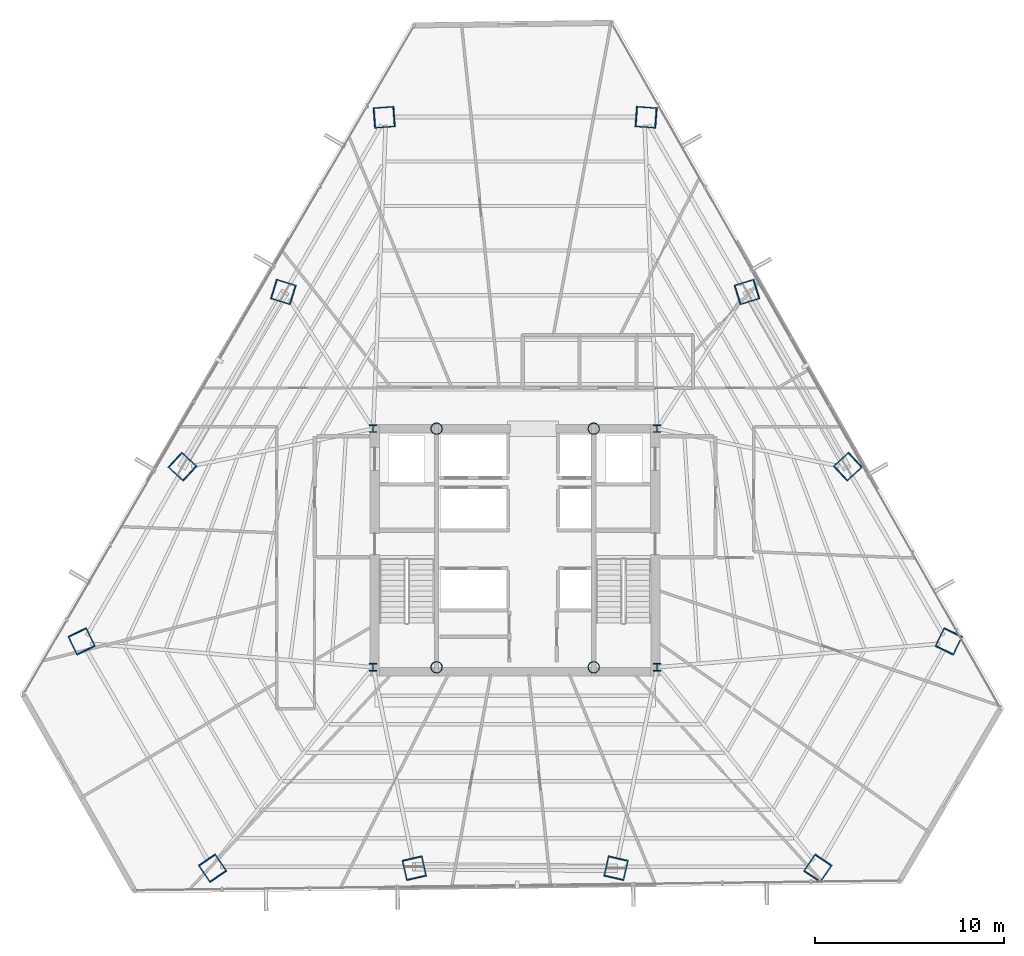
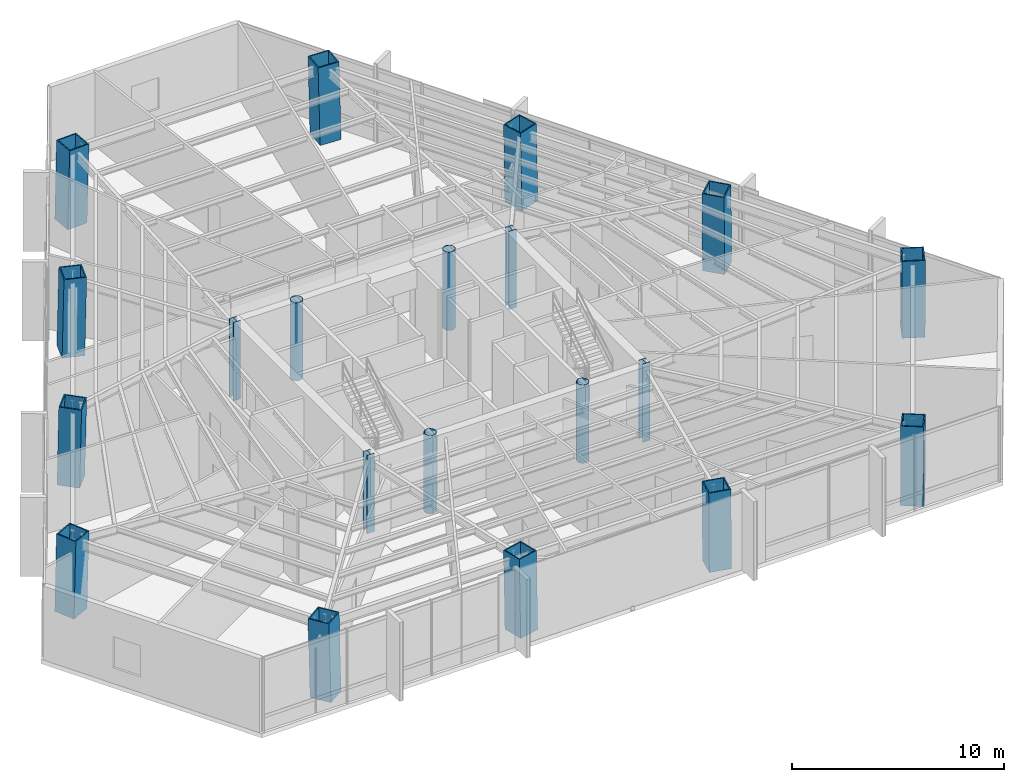
# One storey, part 1 of 37: 20 columns.
"""IFC4 building model written with IfcOpenShell, lengths in metres."""

import ifcopenshell
import ifcopenshell.guid

model = None  # the IFC model being written
_history = None  # IfcOwnerHistory: only IFC2X3 demands one
_inside = {}  # id of a spatial element -> (the spatial element, [elements in it])
_under = {}  # id of a project, library or spatial element -> (it, [spatial elements below it])
_declared = {}  # id of a project -> (the project, [libraries it declares])
_typed = {}  # id of a type object -> (the type object, [elements of that type])
_made_of = {}  # id of a material, layer set ... -> (it, [elements and type objects made of it])


def new_model(schema):
    """Start an empty IFC model of exactly this schema.

    Asked for "IFC4X3", IfcOpenShell would pick the latest addendum, in which some entities
    have other attributes; the version numbers below select the first issue.
    IFC2X3 requires an IfcOwnerHistory on every rooted entity: one is made here for all.
    """
    global model, _history
    if schema == "IFC4X3":
        model = ifcopenshell.file(schema_version=(4, 3, 0, 0))
    else:
        model = ifcopenshell.file(schema=schema)
    _inside.clear()
    _under.clear()
    _declared.clear()
    _typed.clear()
    _made_of.clear()
    _history = None
    if model.schema == "IFC2X3":
        org = make("IfcOrganization", Name="unknown")
        user = make(
            "IfcPersonAndOrganization",
            ThePerson=make("IfcPerson", FamilyName="unknown"),
            TheOrganization=org,
        )
        app = make(
            "IfcApplication",
            ApplicationDeveloper=org,
            Version="unknown",
            ApplicationFullName="unknown",
            ApplicationIdentifier="unknown",
        )
        _history = make(
            "IfcOwnerHistory",
            OwningUser=user,
            OwningApplication=app,
            ChangeAction="ADDED",
            CreationDate=0,
        )
    return model


def make(cls, **values):
    """One entity of the class cls with the attributes given. An attribute that is None is left unset."""
    return model.create_entity(
        cls, **{name: value for name, value in values.items() if value is not None}
    )


def rooted(cls, **values):
    """An entity with a GlobalId (a new one), such as an element, a storey or a relation."""
    return make(cls, GlobalId=ifcopenshell.guid.new(), OwnerHistory=_history, **values)


def si_unit(unit_type, name, prefix=None):
    """IfcSIUnit, for example si_unit("LENGTHUNIT", "METRE", prefix="MILLI")."""
    return make("IfcSIUnit", UnitType=unit_type, Prefix=prefix, Name=name)


def assignment(units):
    """IfcUnitAssignment: the units of a project."""
    return None if units is None else make("IfcUnitAssignment", Units=units)


def point(xyz):
    """IfcCartesianPoint."""
    return None if xyz is None else make("IfcCartesianPoint", Coordinates=xyz)


def direction(xyz):
    """IfcDirection."""
    return None if xyz is None else make("IfcDirection", DirectionRatios=xyz)


def frame(location, z_axis=None, x_axis=None):
    """IfcAxis2Placement3D, a coordinate frame: its origin and axes. An axis left out is left unset."""
    return make(
        "IfcAxis2Placement3D",
        Location=point(location),
        Axis=direction(z_axis),
        RefDirection=direction(x_axis),
    )


def frame_2d(location, x_axis=None):
    """IfcAxis2Placement2D, a coordinate frame in the plane: its origin and x axis."""
    return make(
        "IfcAxis2Placement2D", Location=point(location), RefDirection=direction(x_axis)
    )


def origin():
    """The frame at (0, 0, 0) with its axes left unset."""
    return frame((0.0, 0.0, 0.0))


def origin_2d():
    """The frame at (0, 0) in the plane with its x axis left unset."""
    return frame_2d((0.0, 0.0))


def place(relative_to, where):
    """IfcLocalPlacement: puts the frame where relative to a parent placement (None: the world)."""
    return make(
        "IfcLocalPlacement", PlacementRelTo=relative_to, RelativePlacement=where
    )


def context(
    kind, dimensions, precision=None, world=None, true_north=None, identifier=None
):
    """IfcGeometricRepresentationContext, for example the 3D "Model" context."""
    return make(
        "IfcGeometricRepresentationContext",
        ContextIdentifier=identifier,
        ContextType=kind,
        CoordinateSpaceDimension=dimensions,
        Precision=precision,
        WorldCoordinateSystem=world,
        TrueNorth=true_north,
    )


def subcontext(parent, identifier, kind, view, scale=None):
    """IfcGeometricRepresentationSubContext, for example "Body" below "Model"."""
    return make(
        "IfcGeometricRepresentationSubContext",
        ContextIdentifier=identifier,
        ContextType=kind,
        ParentContext=parent,
        TargetScale=scale,
        TargetView=view,
    )


def project(units=None, contexts=None):
    """IfcProject with its units and contexts."""
    return rooted(
        "IfcProject",
        Name="project",
        RepresentationContexts=contexts,
        UnitsInContext=assignment(units),
    )


def spatial(cls, under=None, at=None, **own):
    """A site, building, storey or space (cls), placed at a placement, below another one or the project."""
    s = rooted(cls, ObjectPlacement=at, **own)
    if under is not None:
        _under.setdefault(under.id(), (under, []))[1].append(s)
    return s


def profile(cls, at=None, kind="AREA", **sizes):
    """A parametric profile (cls). Its sizes go by their IFC names, for example OverallWidth=200.0."""
    return make(cls, ProfileType=kind, Position=at, **sizes)


def hollow_rectangle(**sizes):
    """IfcRectangleHollowProfileDef."""
    return profile("IfcRectangleHollowProfileDef", **sizes)


def hollow_circle(**sizes):
    """IfcCircleHollowProfileDef."""
    return profile("IfcCircleHollowProfileDef", **sizes)


def i_section(**sizes):
    """IfcIShapeProfileDef."""
    return profile("IfcIShapeProfileDef", **sizes)


def extrude(swept, where, along, depth):
    """IfcExtrudedAreaSolid: the profile swept, set in the frame where, extruded along a direction by depth."""
    return make(
        "IfcExtrudedAreaSolid",
        SweptArea=swept,
        Position=where,
        ExtrudedDirection=direction(along),
        Depth=depth,
    )


def shape(context_of_items, identifier, shape_type, items):
    """IfcShapeRepresentation: the items that make up one representation, for example the "Body"."""
    return make(
        "IfcShapeRepresentation",
        ContextOfItems=context_of_items,
        RepresentationIdentifier=identifier,
        RepresentationType=shape_type,
        Items=items,
    )


def source(mapping_origin, context_of_items, identifier, shape_type, items):
    """IfcRepresentationMap: a shape defined once, which mapped items show again and again."""
    return make(
        "IfcRepresentationMap",
        MappingOrigin=mapping_origin,
        MappedRepresentation=shape(context_of_items, identifier, shape_type, items),
    )


def transform(
    local_origin,
    x_axis=None,
    y_axis=None,
    z_axis=None,
    scale=None,
    scale2=None,
    scale3=None,
    uniform=True,
):
    """IfcCartesianTransformationOperator3D, or its non-uniform kind. x_axis, y_axis, z_axis: its Axis1, 2, 3."""
    if uniform:
        return make(
            "IfcCartesianTransformationOperator3D",
            Axis1=direction(x_axis),
            Axis2=direction(y_axis),
            LocalOrigin=point(local_origin),
            Scale=scale,
            Axis3=direction(z_axis),
        )
    return make(
        "IfcCartesianTransformationOperator3DnonUniform",
        Axis1=direction(x_axis),
        Axis2=direction(y_axis),
        LocalOrigin=point(local_origin),
        Scale=scale,
        Axis3=direction(z_axis),
        Scale2=scale2,
        Scale3=scale3,
    )


def mapped(mapping_source, mapping_target):
    """IfcMappedItem: shows the shape of a source again, moved by a transform."""
    return make(
        "IfcMappedItem", MappingSource=mapping_source, MappingTarget=mapping_target
    )


def material(Name=None, Category=None):
    """IfcMaterial."""
    return make("IfcMaterial", Name=Name, Category=Category)


def material_profile(
    of_material, cross_section, Name=None, Category=None, Priority=None
):
    """IfcMaterialProfile: a cross section and its material."""
    return make(
        "IfcMaterialProfile",
        Name=Name,
        Material=of_material,
        Profile=cross_section,
        Priority=Priority,
        Category=Category,
    )


def profile_set(profiles, Name=None, composite=None):
    """IfcMaterialProfileSet."""
    return make(
        "IfcMaterialProfileSet",
        Name=Name,
        MaterialProfiles=profiles,
        CompositeProfile=composite,
    )


def made_of(thing, what):
    """Note that an element or type object is made of a material, layer set ...; save() writes the relation."""
    if what is not None:
        _made_of.setdefault(what.id(), (what, []))[1].append(thing)
    return thing


def type_object(cls, material=None, **own):
    """A type object (cls), such as IfcWallType, which elements share."""
    return made_of(rooted(cls, **own), material)


def type_shapes(of_type, sources):
    """Give a type object the sources (RepresentationMaps) that its elements show as mapped items."""
    of_type.RepresentationMaps = sources


def element(
    cls,
    number,
    at=None,
    inside=None,
    cuts=None,
    type_object=None,
    material=None,
    context=None,
    identifier="Body",
    shape_type=None,
    held_by="IfcProductDefinitionShape",
    body=None,
    shapes=None,
    **own,
):
    """One element of the class cls, such as IfcWall. Its Tag is "e" and its number.

    at: its placement. inside: the storey or other place that contains it. cuts: it is an
    opening in that element (IfcRelVoidsElement). A single representation is given by context,
    identifier, shape_type and body (its items); several are given by shapes. held_by: the class
    of the entity that holds the representations. save() writes the other relations.
    """
    e = rooted(cls, Tag="e%d" % number, ObjectPlacement=at, **own)
    if body is not None:
        shapes = [shape(context, identifier, shape_type, body)]
    if shapes is not None:
        e.Representation = make(held_by, Representations=shapes)
    if inside is not None:
        _inside.setdefault(inside.id(), (inside, []))[1].append(e)
    if cuts is not None:
        rooted(
            "IfcRelVoidsElement", RelatingBuildingElement=cuts, RelatedOpeningElement=e
        )
    if type_object is not None:
        _typed.setdefault(type_object.id(), (type_object, []))[1].append(e)
    return made_of(e, material)


def aggregate(whole, parts):
    """IfcRelAggregates: a whole, such as a stair, and the parts it consists of."""
    return rooted("IfcRelAggregates", RelatingObject=whole, RelatedObjects=parts)


def save(model, path):
    """Write the relations noted so far, then the file.

    IfcRelAggregates (storeys below a building ...), IfcRelContainedInSpatialStructure (elements
    in a storey), IfcRelDefinesByType, IfcRelAssociatesMaterial and IfcRelDeclares: one each for
    every whole, place, type object, material and project.
    """
    for whole, parts in _under.values():
        aggregate(whole, parts)
    for where, things in _inside.values():
        rooted(
            "IfcRelContainedInSpatialStructure",
            RelatedElements=things,
            RelatingStructure=where,
        )
    for kind, things in _typed.values():
        rooted("IfcRelDefinesByType", RelatedObjects=things, RelatingType=kind)
    for what, things in _made_of.values():
        rooted("IfcRelAssociatesMaterial", RelatedObjects=things, RelatingMaterial=what)
    for by, libraries in _declared.values():
        rooted("IfcRelDeclares", RelatingContext=by, RelatedDefinitions=libraries)
    model.write(path)


model = new_model("IFC4")

# Units and contexts
model_context = context("Model", 3, precision=1e-05, world=origin(), true_north=direction((0.0, 1.0)))
body_context = subcontext(model_context, "Body", "Model", "MODEL_VIEW")
ifc_project = project(units=[si_unit("LENGTHUNIT", "METRE"), si_unit("AREAUNIT", "SQUARE_METRE"), si_unit("VOLUMEUNIT", "CUBIC_METRE"), si_unit("PLANEANGLEUNIT", "RADIAN"), si_unit("MASSUNIT", "GRAM", prefix="KILO")], contexts=[model_context])

# Site, building, storey
site_placement = place(None, origin())
site = spatial("IfcSite", under=ifc_project, at=site_placement, CompositionType="ELEMENT")
building_placement = place(site_placement, origin())
building = spatial("IfcBuilding", under=site, at=building_placement, Name="Caelisora Broadcast Tower", CompositionType="ELEMENT")
storey_placement = place(building_placement, frame((0.0, 0.0, 127.300048828125)))
storey = spatial("IfcBuildingStorey", under=building, at=storey_placement, Name="L33", CompositionType="ELEMENT", Elevation=127.300048828125)

# Columns
ifc_material_1 = material(Name="Steel Grade 350 L15 (AS/NZS 3678)", Category="steel")
ifc_material_profile_1 = material_profile(ifc_material_1, hollow_rectangle(XDim=1.10009765625, YDim=1.10009765625, WallThickness=0.06005859375, at=origin_2d()), Name="Steel Grade 350 L15 (AS/NZS 3678)")
ifc_profile_set_1 = profile_set([ifc_material_profile_1], Name="Steel Grade 350 L15 (AS/NZS 3678)")
column_type_1 = type_object("IfcColumnType", Name="MC03", PredefinedType="COLUMN", material=ifc_profile_set_1)
shared_shape_1 = source(origin(), body_context, "Body", "SweptSolid", [
    extrude(hollow_rectangle(XDim=1.10009765625, YDim=1.10009765625, WallThickness=0.06005859375, at=origin_2d()), origin(), (0.0, 0.0, 1.0), 4.501220703125),
])
for number, where, z_axis, x_axis, name in (
    (1, (44.929931640625, 46.447509765625, 0.0), (-0.023864693146, 0.001735614047, 0.999713691046), (-0.072535695779, -0.997365816959, 0.0), "L33 column MC03"),
    (2, (31.070068359375, 46.447509765625, 0.0), (0.023864693146, 0.001735614047, 0.999713691046), (-0.072535695779, 0.997365816959, 0.0), "L33 column MC03"),
    (3, (15.094970703125, 18.777587890625, 0.0), (0.010413686595, -0.021532466552, 0.999713913085), (0.90024527341, 0.435383104521, 0.0), "L33 column MC03"),
    (4, (22.02490234375, 6.77490234375, 0.0), (-0.013451006786, 0.019796844666, 0.999713536648), (-0.827137189058, -0.562000062702, 0.0), "L33 column MC03"),
    (5, (53.97509765625, 6.77490234375, 0.0), (0.013451006786, 0.019796844666, 0.999713536648), (-0.827137189058, 0.562000062702, 0.0), "L33 column MC03"),
    (6, (60.905029296875, 18.777587890625, 0.0), (-0.010413686595, -0.021532466552, 0.999713913085), (0.90024527341, -0.435383104521, 0.0), "L33 column MC03"),
):
    element("IfcColumn", number, at=place(storey_placement, frame(where, z_axis=z_axis, x_axis=x_axis)), inside=storey, type_object=column_type_1, Name=name, PredefinedType="COLUMN", context=body_context, shape_type="MappedRepresentation", body=[
        mapped(shared_shape_1, transform((0.0, 0.0, 0.0), scale=1.0)),
    ])
shared_shape_2 = source(origin(), body_context, "Body", "SweptSolid", [
    extrude(hollow_rectangle(XDim=1.10009765625, YDim=1.10009765625, WallThickness=0.06005859375, at=origin_2d()), origin(), (0.0, 0.0, 1.0), 4.5009765625),
])
type_shapes(column_type_1, [shared_shape_1, shared_shape_2])
for number, where, z_axis, x_axis, name in (
    (7, (25.7451171875, 37.22412109375, 0.0), (0.019364512966, -0.005966656656, 0.999794686246), (0.294462042916, 0.955663175644, 0.0), "L33 column MC03"),
    (8, (20.419921875, 28.0009765625, 0.0), (0.01491662865, -0.013777540644, 0.999793815526), (0.678501966239, 0.734598585494, 0.0), "L33 column MC03"),
    (9, (32.675048828125, 6.77490234375, 0.0), (-0.004502109917, 0.019798435176, 0.999793855238), (-0.975106606077, -0.221736570697, 0.0), "L33 column MC03"),
    (10, (43.324951171875, 6.77490234375, 0.0), (0.004502109917, 0.019798435176, 0.999793855238), (-0.975106606077, 0.221736570697, 0.0), "L33 column MC03"),
    (11, (55.580078125, 28.0009765625, 0.0), (-0.01491662865, -0.013777540644, 0.999793815526), (0.678501966239, -0.734598585494, 0.0), "L33 column MC03"),
    (12, (50.2548828125, 37.22412109375, 0.0), (-0.019364512966, -0.005966656656, 0.999794686246), (0.294462042916, -0.955663175644, 0.0), "L33 column MC03"),
):
    element("IfcColumn", number, at=place(storey_placement, frame(where, z_axis=z_axis, x_axis=x_axis)), inside=storey, type_object=column_type_1, Name=name, PredefinedType="COLUMN", context=body_context, shape_type="MappedRepresentation", body=[
        mapped(shared_shape_2, transform((0.0, 0.0, 0.0), scale=1.0)),
    ])
ifc_material_2 = material(Name="Steel Grade 350 (AS/NZS 3679.2)", Category="steel")
ifc_material_profile_2 = material_profile(ifc_material_2, i_section(OverallWidth=0.39990234375, OverallDepth=0.39990234375, WebThickness=0.02001953125, FlangeThickness=0.031982421875, at=origin_2d()), Name="Steel Grade 350 (AS/NZS 3679.2)")
ifc_profile_set_2 = profile_set([ifc_material_profile_2], Name="Steel Grade 350 (AS/NZS 3679.2)")
column_type_2 = type_object("IfcColumnType", Name="CC02", PredefinedType="COLUMN", material=ifc_profile_set_2)
shared_shape_3 = source(origin(), body_context, "Body", "SweptSolid", [
    extrude(i_section(OverallWidth=0.39990234375, OverallDepth=0.39990234375, WebThickness=0.02001953125, FlangeThickness=0.031982421875, at=origin_2d()), origin(), (0.0, 0.0, 1.0), 4.5),
])
type_shapes(column_type_2, [shared_shape_3])
for number, where, z_axis, x_axis, name in (
    (13, (30.5, 17.39990234375, 0.0), (0.0, 0.0, 1.0), (1.0, 0.0, 0.0), "L33 column CC02"),
    (14, (45.5, 17.39990234375, 0.0), (0.0, 0.0, 1.0), (1.0, 0.0, 0.0), "L33 column CC02"),
    (15, (45.5, 30.0, 0.0), (0.0, 0.0, 1.0), (1.0, 0.0, 0.0), "L33 column CC02"),
    (16, (30.5, 30.0, 0.0), (0.0, 0.0, 1.0), (1.0, 0.0, 0.0), "L33 column CC02"),
):
    element("IfcColumn", number, at=place(storey_placement, frame(where, z_axis=z_axis, x_axis=x_axis)), inside=storey, type_object=column_type_2, Name=name, PredefinedType="COLUMN", context=body_context, shape_type="MappedRepresentation", body=[
        mapped(shared_shape_3, transform((0.0, 0.0, 0.0), scale=1.0)),
    ])
ifc_material_profile_3 = material_profile(ifc_material_1, hollow_circle(Radius=0.304931640625, WallThickness=0.02490234375, at=origin_2d()), Name="Steel Grade 350 L15 (AS/NZS 3678)")
ifc_profile_set_3 = profile_set([ifc_material_profile_3], Name="Steel Grade 350 L15 (AS/NZS 3678)")
column_type_3 = type_object("IfcColumnType", Name="CC06", PredefinedType="COLUMN", material=ifc_profile_set_3)
shared_shape_4 = source(origin(), body_context, "Body", "SweptSolid", [
    extrude(hollow_circle(Radius=0.304931640625, WallThickness=0.02490234375, at=origin_2d()), origin(), (0.0, 0.0, 1.0), 4.5),
])
type_shapes(column_type_3, [shared_shape_4])
for number, where, z_axis, x_axis, name in (
    (17, (33.85009765625, 17.39990234375, 0.0), (0.0, 0.0, 1.0), (1.0, 0.0, 0.0), "L33 column CC06"),
    (18, (42.14990234375, 17.39990234375, 0.0), (0.0, 0.0, 1.0), (1.0, 0.0, 0.0), "L33 column CC06"),
    (19, (33.85009765625, 30.0, 0.0), (0.0, 0.0, 1.0), (1.0, 0.0, 0.0), "L33 column CC06"),
    (20, (42.14990234375, 30.0, 0.0), (0.0, 0.0, 1.0), (1.0, 0.0, 0.0), "L33 column CC06"),
):
    element("IfcColumn", number, at=place(storey_placement, frame(where, z_axis=z_axis, x_axis=x_axis)), inside=storey, type_object=column_type_3, Name=name, PredefinedType="COLUMN", context=body_context, shape_type="MappedRepresentation", body=[
        mapped(shared_shape_4, transform((0.0, 0.0, 0.0), scale=1.0)),
    ])

save(model, "model.ifc")
